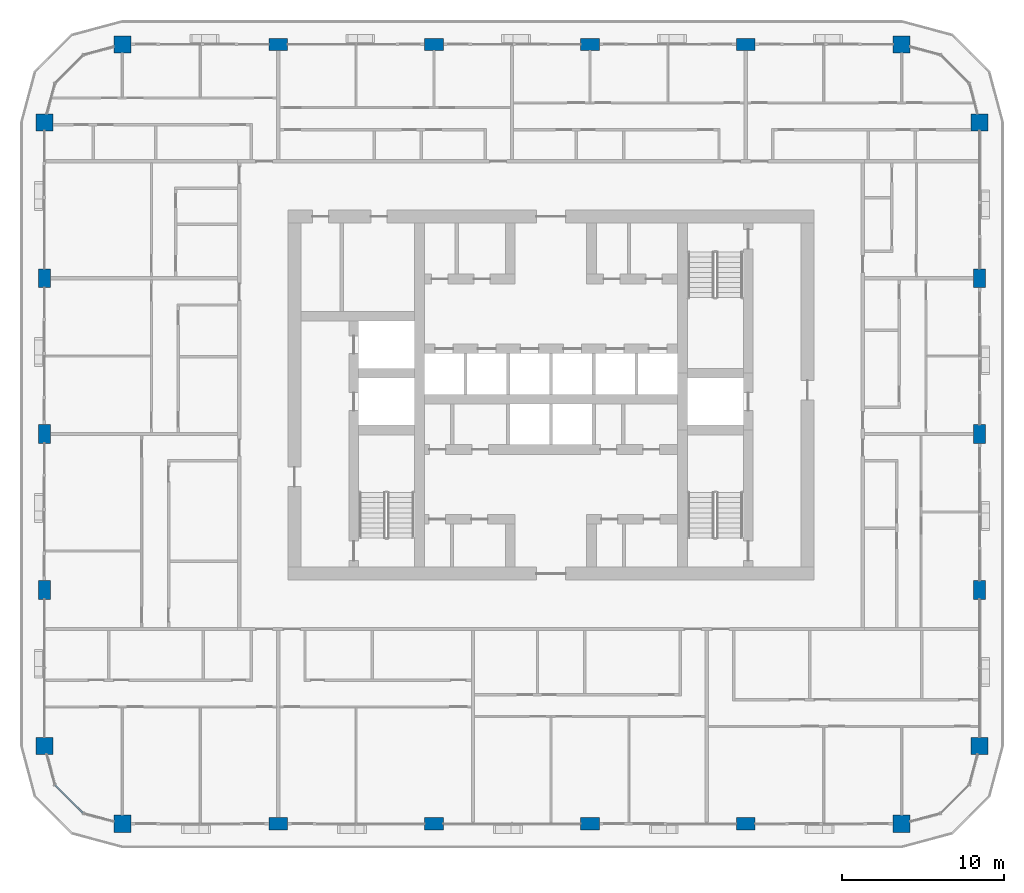
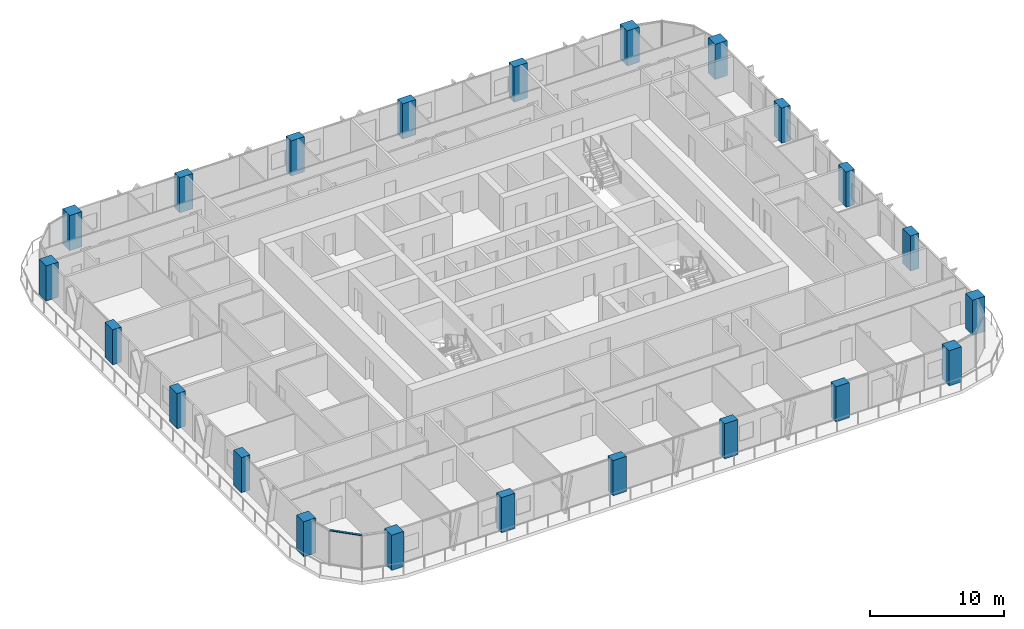
# One storey, part 1 of 22: 22 columns, 1 member, 1 element without a shape of its own.
"""IFC4 building model written with IfcOpenShell, lengths in metres."""

import ifcopenshell
import ifcopenshell.guid

model = None  # the IFC model being written
_history = None  # IfcOwnerHistory: only IFC2X3 demands one
_inside = {}  # id of a spatial element -> (the spatial element, [elements in it])
_under = {}  # id of a project, library or spatial element -> (it, [spatial elements below it])
_declared = {}  # id of a project -> (the project, [libraries it declares])
_typed = {}  # id of a type object -> (the type object, [elements of that type])
_made_of = {}  # id of a material, layer set ... -> (it, [elements and type objects made of it])


def new_model(schema):
    """Start an empty IFC model of exactly this schema.

    Asked for "IFC4X3", IfcOpenShell would pick the latest addendum, in which some entities
    have other attributes; the version numbers below select the first issue.
    IFC2X3 requires an IfcOwnerHistory on every rooted entity: one is made here for all.
    """
    global model, _history
    if schema == "IFC4X3":
        model = ifcopenshell.file(schema_version=(4, 3, 0, 0))
    else:
        model = ifcopenshell.file(schema=schema)
    _inside.clear()
    _under.clear()
    _declared.clear()
    _typed.clear()
    _made_of.clear()
    _history = None
    if model.schema == "IFC2X3":
        org = make("IfcOrganization", Name="unknown")
        user = make(
            "IfcPersonAndOrganization",
            ThePerson=make("IfcPerson", FamilyName="unknown"),
            TheOrganization=org,
        )
        app = make(
            "IfcApplication",
            ApplicationDeveloper=org,
            Version="unknown",
            ApplicationFullName="unknown",
            ApplicationIdentifier="unknown",
        )
        _history = make(
            "IfcOwnerHistory",
            OwningUser=user,
            OwningApplication=app,
            ChangeAction="ADDED",
            CreationDate=0,
        )
    return model


def make(cls, **values):
    """One entity of the class cls with the attributes given. An attribute that is None is left unset."""
    return model.create_entity(
        cls, **{name: value for name, value in values.items() if value is not None}
    )


def rooted(cls, **values):
    """An entity with a GlobalId (a new one), such as an element, a storey or a relation."""
    return make(cls, GlobalId=ifcopenshell.guid.new(), OwnerHistory=_history, **values)


def si_unit(unit_type, name, prefix=None):
    """IfcSIUnit, for example si_unit("LENGTHUNIT", "METRE", prefix="MILLI")."""
    return make("IfcSIUnit", UnitType=unit_type, Prefix=prefix, Name=name)


def assignment(units):
    """IfcUnitAssignment: the units of a project."""
    return None if units is None else make("IfcUnitAssignment", Units=units)


def point(xyz):
    """IfcCartesianPoint."""
    return None if xyz is None else make("IfcCartesianPoint", Coordinates=xyz)


def direction(xyz):
    """IfcDirection."""
    return None if xyz is None else make("IfcDirection", DirectionRatios=xyz)


def frame(location, z_axis=None, x_axis=None):
    """IfcAxis2Placement3D, a coordinate frame: its origin and axes. An axis left out is left unset."""
    return make(
        "IfcAxis2Placement3D",
        Location=point(location),
        Axis=direction(z_axis),
        RefDirection=direction(x_axis),
    )


def frame_2d(location, x_axis=None):
    """IfcAxis2Placement2D, a coordinate frame in the plane: its origin and x axis."""
    return make(
        "IfcAxis2Placement2D", Location=point(location), RefDirection=direction(x_axis)
    )


def origin():
    """The frame at (0, 0, 0) with its axes left unset."""
    return frame((0.0, 0.0, 0.0))


def origin_2d():
    """The frame at (0, 0) in the plane with its x axis left unset."""
    return frame_2d((0.0, 0.0))


def place(relative_to, where):
    """IfcLocalPlacement: puts the frame where relative to a parent placement (None: the world)."""
    return make(
        "IfcLocalPlacement", PlacementRelTo=relative_to, RelativePlacement=where
    )


def context(
    kind, dimensions, precision=None, world=None, true_north=None, identifier=None
):
    """IfcGeometricRepresentationContext, for example the 3D "Model" context."""
    return make(
        "IfcGeometricRepresentationContext",
        ContextIdentifier=identifier,
        ContextType=kind,
        CoordinateSpaceDimension=dimensions,
        Precision=precision,
        WorldCoordinateSystem=world,
        TrueNorth=true_north,
    )


def subcontext(parent, identifier, kind, view, scale=None):
    """IfcGeometricRepresentationSubContext, for example "Body" below "Model"."""
    return make(
        "IfcGeometricRepresentationSubContext",
        ContextIdentifier=identifier,
        ContextType=kind,
        ParentContext=parent,
        TargetScale=scale,
        TargetView=view,
    )


def project(units=None, contexts=None):
    """IfcProject with its units and contexts."""
    return rooted(
        "IfcProject",
        Name="project",
        RepresentationContexts=contexts,
        UnitsInContext=assignment(units),
    )


def spatial(cls, under=None, at=None, **own):
    """A site, building, storey or space (cls), placed at a placement, below another one or the project."""
    s = rooted(cls, ObjectPlacement=at, **own)
    if under is not None:
        _under.setdefault(under.id(), (under, []))[1].append(s)
    return s


def profile(cls, at=None, kind="AREA", **sizes):
    """A parametric profile (cls). Its sizes go by their IFC names, for example OverallWidth=200.0."""
    return make(cls, ProfileType=kind, Position=at, **sizes)


def rectangle(**sizes):
    """IfcRectangleProfileDef."""
    return profile("IfcRectangleProfileDef", **sizes)


def extrude(swept, where, along, depth):
    """IfcExtrudedAreaSolid: the profile swept, set in the frame where, extruded along a direction by depth."""
    return make(
        "IfcExtrudedAreaSolid",
        SweptArea=swept,
        Position=where,
        ExtrudedDirection=direction(along),
        Depth=depth,
    )


def shape(context_of_items, identifier, shape_type, items):
    """IfcShapeRepresentation: the items that make up one representation, for example the "Body"."""
    return make(
        "IfcShapeRepresentation",
        ContextOfItems=context_of_items,
        RepresentationIdentifier=identifier,
        RepresentationType=shape_type,
        Items=items,
    )


def material(Name=None, Category=None):
    """IfcMaterial."""
    return make("IfcMaterial", Name=Name, Category=Category)


def layer(
    of_material, thickness, ventilated=None, Name=None, Category=None, Priority=None
):
    """IfcMaterialLayer: one layer of a wall or slab, of a material (None: an air gap)."""
    return make(
        "IfcMaterialLayer",
        Material=of_material,
        LayerThickness=thickness,
        IsVentilated=ventilated,
        Name=Name,
        Category=Category,
        Priority=Priority,
    )


def layer_set(layers, Name=None):
    """IfcMaterialLayerSet."""
    return make("IfcMaterialLayerSet", MaterialLayers=layers, LayerSetName=Name)


def material_profile(
    of_material, cross_section, Name=None, Category=None, Priority=None
):
    """IfcMaterialProfile: a cross section and its material."""
    return make(
        "IfcMaterialProfile",
        Name=Name,
        Material=of_material,
        Profile=cross_section,
        Priority=Priority,
        Category=Category,
    )


def profile_set(profiles, Name=None, composite=None):
    """IfcMaterialProfileSet."""
    return make(
        "IfcMaterialProfileSet",
        Name=Name,
        MaterialProfiles=profiles,
        CompositeProfile=composite,
    )


def made_of(thing, what):
    """Note that an element or type object is made of a material, layer set ...; save() writes the relation."""
    if what is not None:
        _made_of.setdefault(what.id(), (what, []))[1].append(thing)
    return thing


def type_object(cls, material=None, **own):
    """A type object (cls), such as IfcWallType, which elements share."""
    return made_of(rooted(cls, **own), material)


def element(
    cls,
    number,
    at=None,
    inside=None,
    cuts=None,
    type_object=None,
    material=None,
    context=None,
    identifier="Body",
    shape_type=None,
    held_by="IfcProductDefinitionShape",
    body=None,
    shapes=None,
    **own,
):
    """One element of the class cls, such as IfcWall. Its Tag is "e" and its number.

    at: its placement. inside: the storey or other place that contains it. cuts: it is an
    opening in that element (IfcRelVoidsElement). A single representation is given by context,
    identifier, shape_type and body (its items); several are given by shapes. held_by: the class
    of the entity that holds the representations. save() writes the other relations.
    """
    e = rooted(cls, Tag="e%d" % number, ObjectPlacement=at, **own)
    if body is not None:
        shapes = [shape(context, identifier, shape_type, body)]
    if shapes is not None:
        e.Representation = make(held_by, Representations=shapes)
    if inside is not None:
        _inside.setdefault(inside.id(), (inside, []))[1].append(e)
    if cuts is not None:
        rooted(
            "IfcRelVoidsElement", RelatingBuildingElement=cuts, RelatedOpeningElement=e
        )
    if type_object is not None:
        _typed.setdefault(type_object.id(), (type_object, []))[1].append(e)
    return made_of(e, material)


def aggregate(whole, parts):
    """IfcRelAggregates: a whole, such as a stair, and the parts it consists of."""
    return rooted("IfcRelAggregates", RelatingObject=whole, RelatedObjects=parts)


def save(model, path):
    """Write the relations noted so far, then the file.

    IfcRelAggregates (storeys below a building ...), IfcRelContainedInSpatialStructure (elements
    in a storey), IfcRelDefinesByType, IfcRelAssociatesMaterial and IfcRelDeclares: one each for
    every whole, place, type object, material and project.
    """
    for whole, parts in _under.values():
        aggregate(whole, parts)
    for where, things in _inside.values():
        rooted(
            "IfcRelContainedInSpatialStructure",
            RelatedElements=things,
            RelatingStructure=where,
        )
    for kind, things in _typed.values():
        rooted("IfcRelDefinesByType", RelatedObjects=things, RelatingType=kind)
    for what, things in _made_of.values():
        rooted("IfcRelAssociatesMaterial", RelatedObjects=things, RelatingMaterial=what)
    for by, libraries in _declared.values():
        rooted("IfcRelDeclares", RelatingContext=by, RelatedDefinitions=libraries)
    model.write(path)


model = new_model("IFC4")

# Units and contexts
model_context = context("Model", 3, precision=1e-05, world=origin(), true_north=direction((0.0, 1.0)))
body_context = subcontext(model_context, "Body", "Model", "MODEL_VIEW")
ifc_project = project(units=[si_unit("LENGTHUNIT", "METRE"), si_unit("AREAUNIT", "SQUARE_METRE"), si_unit("VOLUMEUNIT", "CUBIC_METRE"), si_unit("PLANEANGLEUNIT", "RADIAN"), si_unit("MASSUNIT", "GRAM", prefix="KILO")], contexts=[model_context])

# Site, building, storey
site_placement = place(None, origin())
site = spatial("IfcSite", under=ifc_project, at=site_placement, CompositionType="ELEMENT")
building_placement = place(site_placement, origin())
building = spatial("IfcBuilding", under=site, at=building_placement, Name="Madar Terraces", CompositionType="ELEMENT")
storey_placement = place(building_placement, frame((0.0, 0.0, 156.0)))
storey = spatial("IfcBuildingStorey", under=building, at=storey_placement, Name="L40", CompositionType="ELEMENT", Elevation=156.0)

# Columns
ifc_material_1 = material(Name="Concrete C70/85", Category="concrete")
ifc_material_profile_1 = material_profile(ifc_material_1, rectangle(XDim=1.14990234375, YDim=0.75, at=origin_2d()), Name="CC3 RC 1150x750")
ifc_profile_set_1 = profile_set([ifc_material_profile_1], Name="Concrete C70/85")
column_type_1 = type_object("IfcColumnType", Name="CC3 RC 1150x750", PredefinedType="COLUMN", material=ifc_profile_set_1)
for number, where, z_axis, x_axis, name in (
    (1, (14.39990234375, 0.0, 0.0), (0.0, 0.0, 1.0), (1.0, 0.0, 0.0), "Perimeter column S2"),
    (2, (24.0, 0.0, 0.0), (0.0, 0.0, 1.0), (1.0, 0.0, 0.0), "Perimeter column S3"),
    (3, (33.60009765625, 0.0, 0.0), (0.0, 0.0, 1.0), (1.0, 0.0, 0.0), "Perimeter column S4"),
    (4, (43.199951171875, 0.0, 0.0), (0.0, 0.0, 1.0), (1.0, 0.0, 0.0), "Perimeter column S5"),
    (5, (57.60009765625, 14.39990234375, 0.0), (0.0, 0.0, 1.0), (0.0, 1.0, 0.0), "Perimeter column E2"),
    (6, (57.60009765625, 24.0, 0.0), (0.0, 0.0, 1.0), (0.0, 1.0, 0.0), "Perimeter column E3"),
    (7, (57.60009765625, 33.60009765625, 0.0), (0.0, 0.0, 1.0), (0.0, 1.0, 0.0), "Perimeter column E4"),
    (8, (43.199951171875, 48.0, 0.0), (0.0, 0.0, 1.0), (1.0, 0.0, 0.0), "Perimeter column N2"),
    (9, (33.60009765625, 48.0, 0.0), (0.0, 0.0, 1.0), (1.0, 0.0, 0.0), "Perimeter column N3"),
    (10, (24.0, 48.0, 0.0), (0.0, 0.0, 1.0), (1.0, 0.0, 0.0), "Perimeter column N4"),
    (11, (14.39990234375, 48.0, 0.0), (0.0, 0.0, 1.0), (1.0, 0.0, 0.0), "Perimeter column N5"),
    (12, (0.0, 33.60009765625, 0.0), (0.0, 0.0, 1.0), (0.0, 1.0, 0.0), "Perimeter column W2"),
    (13, (0.0, 24.0, 0.0), (0.0, 0.0, 1.0), (0.0, 1.0, 0.0), "Perimeter column W3"),
    (14, (0.0, 14.39990234375, 0.0), (0.0, 0.0, 1.0), (0.0, 1.0, 0.0), "Perimeter column W4"),
):
    element("IfcColumn", number, at=place(storey_placement, frame(where, z_axis=z_axis, x_axis=x_axis)), inside=storey, type_object=column_type_1, Name=name, PredefinedType="COLUMN", context=body_context, shape_type="SweptSolid", body=[
        extrude(rectangle(XDim=1.14990234375, YDim=0.75, at=origin_2d()), origin(), (0.0, 0.0, 1.0), 3.199951171875),
    ])
ifc_material_2 = material(Name="Concrete C70/85", Category="concrete")
ifc_material_profile_2 = material_profile(ifc_material_2, rectangle(XDim=1.050048828125, YDim=1.050048828125, at=origin_2d()), Name="KC3 RC 1050x1050")
ifc_profile_set_2 = profile_set([ifc_material_profile_2], Name="Concrete C70/85")
column_type_2 = type_object("IfcColumnType", Name="KC3 RC 1050x1050", PredefinedType="COLUMN", material=ifc_profile_set_2)
for number, where, z_axis, x_axis, name in (
    (15, (4.800048828125, 0.0, 0.0), (0.0, 0.0, 1.0), (1.0, 0.0, 0.0), "Perimeter column S1"),
    (16, (52.800048828125, 0.0, 0.0), (0.0, 0.0, 1.0), (1.0, 0.0, 0.0), "Perimeter column S6"),
    (17, (57.60009765625, 4.800048828125, 0.0), (0.0, 0.0, 1.0), (1.0, 0.0, 0.0), "Perimeter column E1"),
    (18, (57.60009765625, 43.199951171875, 0.0), (0.0, 0.0, 1.0), (1.0, 0.0, 0.0), "Perimeter column E5"),
    (19, (52.800048828125, 48.0, 0.0), (0.0, 0.0, 1.0), (1.0, 0.0, 0.0), "Perimeter column N1"),
    (20, (4.800048828125, 48.0, 0.0), (0.0, 0.0, 1.0), (1.0, 0.0, 0.0), "Perimeter column N6"),
    (21, (0.0, 43.199951171875, 0.0), (0.0, 0.0, 1.0), (1.0, 0.0, 0.0), "Perimeter column W1"),
    (22, (0.0, 4.800048828125, 0.0), (0.0, 0.0, 1.0), (1.0, 0.0, 0.0), "Perimeter column W5"),
):
    element("IfcColumn", number, at=place(storey_placement, frame(where, z_axis=z_axis, x_axis=x_axis)), inside=storey, type_object=column_type_2, Name=name, PredefinedType="COLUMN", context=body_context, shape_type="SweptSolid", body=[
        extrude(rectangle(XDim=1.050048828125, YDim=1.050048828125, at=origin_2d()), origin(), (0.0, 0.0, 1.0), 3.199951171875),
    ])

# Curtain wall, member
ifc_material_3 = material(Name="Glass, ceramic frit dark grey, with black aluminium frame", Category="aluminium")
ifc_layer = layer(ifc_material_3, 0.199951171875)
ifc_layer_set = layer_set([ifc_layer], Name="Facade curtain wall, fritted glass")
curtain_wall_type = type_object("IfcCurtainWallType", Name="Facade curtain wall, fritted glass", PredefinedType="NOTDEFINED", material=ifc_layer_set)
curtain_wall_placement = place(storey_placement, origin())
curtain_wall = element("IfcCurtainWall", 23, at=curtain_wall_placement, inside=storey, type_object=curtain_wall_type, Name="Outer skin curtain wall south-west corner", PredefinedType="NOTDEFINED")
ifc_material_4 = material(Name="Aluminium, black anodised", Category="aluminium")
ifc_material_profile_3 = material_profile(ifc_material_4, rectangle(XDim=0.1201171875, YDim=0.06005859375, at=origin_2d()), Name="Facade transom 60x120")
ifc_profile_set_3 = profile_set([ifc_material_profile_3], Name="Aluminium, black anodised")
member_type = type_object("IfcMemberType", Name="Facade transom 60x120", PredefinedType="USERDEFINED", material=ifc_profile_set_3)
member_placement = place(storey_placement, frame((0.664306640625, 2.37890625, 3.169921875), z_axis=(0.707106781187, -0.707106781187, 0.0), x_axis=(0.707106781187, 0.707106781187, 0.0)))
member = element("IfcMember", 24, at=member_placement, type_object=member_type, Name="Transom 2", ObjectType="TRANSOM", PredefinedType="USERDEFINED", context=body_context, shape_type="SweptSolid", body=[
    extrude(rectangle(XDim=0.1201171875, YDim=0.06005859375, at=origin_2d()), origin(), (0.0, 0.0, 1.0), 2.4248046875),
])
aggregate(curtain_wall, [member])

save(model, "model.ifc")
